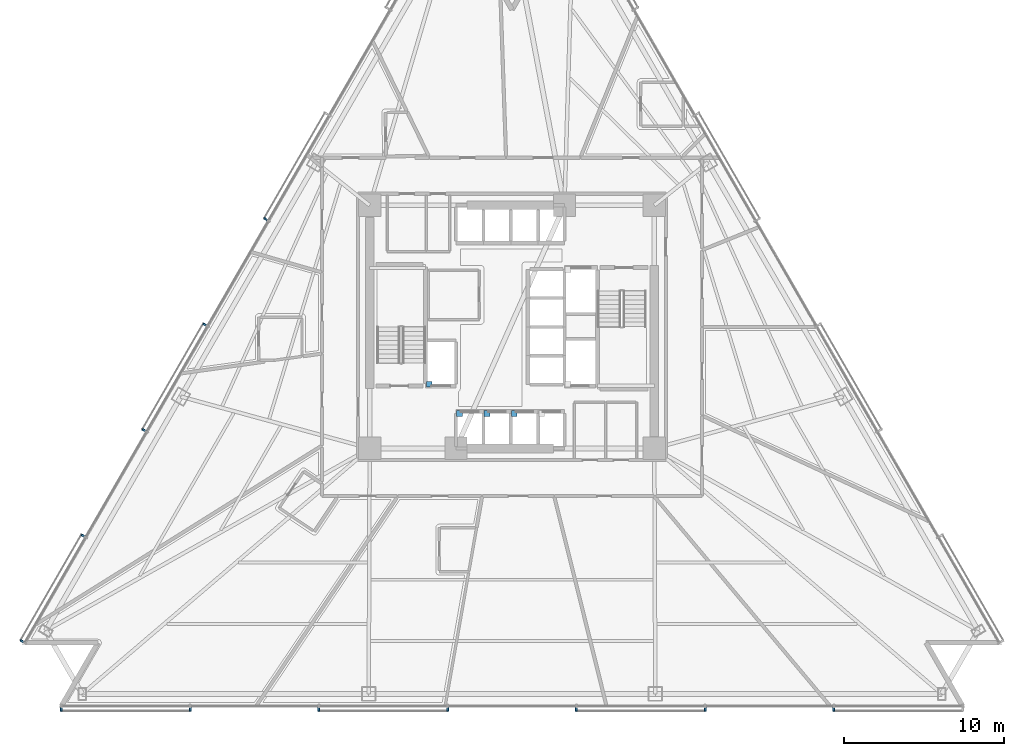
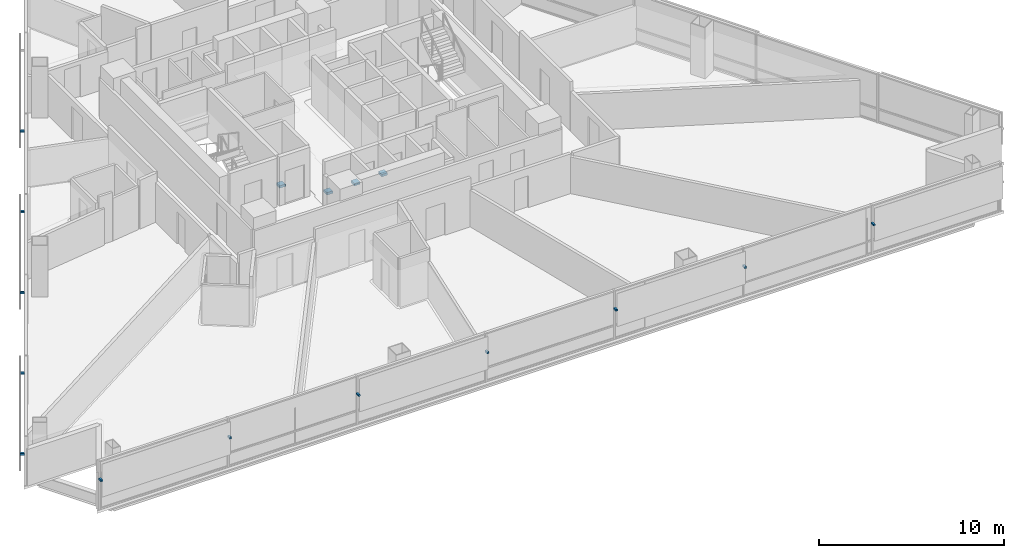
# One storey, part 11 of 16: 16 discrete accessories.
"""IFC4 building model written with IfcOpenShell, lengths in metres."""

from ifc_helpers import new_model, si_unit, direction, frame, origin, origin_2d, place, context, subcontext, project, spatial, rectangle, extrude, material, type_object, element, save


model = new_model("IFC4")

# Units and contexts
model_context = context("Model", 3, precision=1e-05, world=origin(), true_north=direction((0.0, 1.0)))
body_context = subcontext(model_context, "Body", "Model", "MODEL_VIEW")
ifc_project = project(units=[si_unit("LENGTHUNIT", "METRE"), si_unit("AREAUNIT", "SQUARE_METRE"), si_unit("VOLUMEUNIT", "CUBIC_METRE"), si_unit("PLANEANGLEUNIT", "RADIAN"), si_unit("MASSUNIT", "GRAM", prefix="KILO")], contexts=[model_context])

# Site, building, storey
site_placement = place(None, origin())
site = spatial("IfcSite", under=ifc_project, at=site_placement, CompositionType="ELEMENT")
building_placement = place(site_placement, origin())
building = spatial("IfcBuilding", under=site, at=building_placement, Name="Tharavind Bronze Gate", CompositionType="ELEMENT")
storey_placement = place(building_placement, frame((0.0, 0.0, 42.050048828125)))
storey = spatial("IfcBuildingStorey", under=building, at=storey_placement, Name="L09", CompositionType="ELEMENT", Elevation=42.050048828125)

# Discrete accessories
ifc_material_1 = material(Name="Galvanised Steel S355", Category="steel")
discrete_accessory_type_1 = type_object("IfcDiscreteAccessoryType", Name="LIFT GUIDE RAIL BRACKET", PredefinedType="BRACKET", material=ifc_material_1)
for number, where, z_axis, x_axis, name in (
    (1, (-3.280029296875, -5.419921875, 1.1201171875), (0.0, 0.0, 1.0), (1.0, 0.0, 0.0), "Lift PL1 guide rail bracket at L09"),
    (2, (-1.5673828125, -5.419921875, 1.1201171875), (0.0, 0.0, 1.0), (1.0, 0.0, 0.0), "Lift PL2 guide rail bracket at L09"),
    (3, (0.14501953125, -5.419921875, 1.1201171875), (0.0, 0.0, 1.0), (1.0, 0.0, 0.0), "Lift PL3 guide rail bracket at L09"),
    (4, (-5.179931640625, -3.580078125, 1.1201171875), (0.0, 0.0, 1.0), (1.0, 0.0, 0.0), "Lift FFL1 guide rail bracket at L09"),
):
    element("IfcDiscreteAccessory", number, at=place(storey_placement, frame(where, z_axis=z_axis, x_axis=x_axis)), inside=storey, type_object=discrete_accessory_type_1, Name=name, PredefinedType="BRACKET", context=body_context, shape_type="SweptSolid", body=[
        extrude(rectangle(XDim=0.360107421875, YDim=0.360107421875, at=origin_2d()), origin(), (0.0, 0.0, 1.0), 0.159912109375),
    ])
ifc_material_2 = material(Name="Stainless Steel 316", Category="steel")
discrete_accessory_type_2 = type_object("IfcDiscreteAccessoryType", Name="SOLAR SCREEN STANDOFF BRACKET", PredefinedType="BRACKET", material=ifc_material_2)
for number, where, z_axis, x_axis, name in (
    (5, (-15.397216796875, 6.7314453125, 2.00244140625), (0.0, 0.0, 1.0), (-0.500001511499, -0.866024531118, 0.0), "CW-L09-S1 solar screen bracket 3.2"),
    (6, (-19.205078125, 0.135986328125, 2.00244140625), (0.0, 0.0, 1.0), (-0.500001511499, -0.866024531118, 0.0), "CW-L09-S1 solar screen bracket 5.1"),
    (7, (-23.01318359375, -6.459716796875, 2.00244140625), (0.0, 0.0, 1.0), (-0.500001511499, -0.866024531118, 0.0), "CW-L09-S1 solar screen bracket 5.2"),
    (8, (-26.821044921875, -13.055419921875, 2.00244140625), (0.0, 0.0, 1.0), (-0.500001511499, -0.866024531118, 0.0), "CW-L09-S1 solar screen bracket 7.1"),
    (9, (-30.62890625, -19.65087890625, 2.00244140625), (0.0, 0.0, 1.0), (-0.500001511499, -0.866024531118, 0.0), "CW-L09-S1 solar screen bracket 7.2"),
    (10, (-28.17578125, -23.89990234375, 2.00244140625), (0.0, 0.0, 1.0), (1.0, 0.0, 0.0), "CW-L09-S2 solar screen bracket 1.1"),
    (11, (-20.12548828125, -23.89990234375, 2.00244140625), (0.0, 0.0, 1.0), (1.0, 0.0, 0.0), "CW-L09-S2 solar screen bracket 1.2"),
    (12, (-12.0751953125, -23.89990234375, 2.00244140625), (0.0, 0.0, 1.0), (1.0, 0.0, 0.0), "CW-L09-S2 solar screen bracket 3.1"),
    (13, (-4.025146484375, -23.89990234375, 2.00244140625), (0.0, 0.0, 1.0), (1.0, 0.0, 0.0), "CW-L09-S2 solar screen bracket 3.2"),
    (14, (4.025146484375, -23.89990234375, 2.00244140625), (0.0, 0.0, 1.0), (1.0, 0.0, 0.0), "CW-L09-S2 solar screen bracket 5.1"),
    (15, (12.0751953125, -23.89990234375, 2.00244140625), (0.0, 0.0, 1.0), (1.0, 0.0, 0.0), "CW-L09-S2 solar screen bracket 5.2"),
    (16, (20.12548828125, -23.89990234375, 2.00244140625), (0.0, 0.0, 1.0), (1.0, 0.0, 0.0), "CW-L09-S2 solar screen bracket 7.1"),
):
    element("IfcDiscreteAccessory", number, at=place(storey_placement, frame(where, z_axis=z_axis, x_axis=x_axis)), inside=storey, type_object=discrete_accessory_type_2, Name=name, PredefinedType="BRACKET", context=body_context, shape_type="SweptSolid", body=[
        extrude(rectangle(XDim=0.1201171875, YDim=0.239990234375, at=origin_2d()), origin(), (0.0, 0.0, 1.0), 0.1201171875),
    ])

save(model, "model.ifc")
